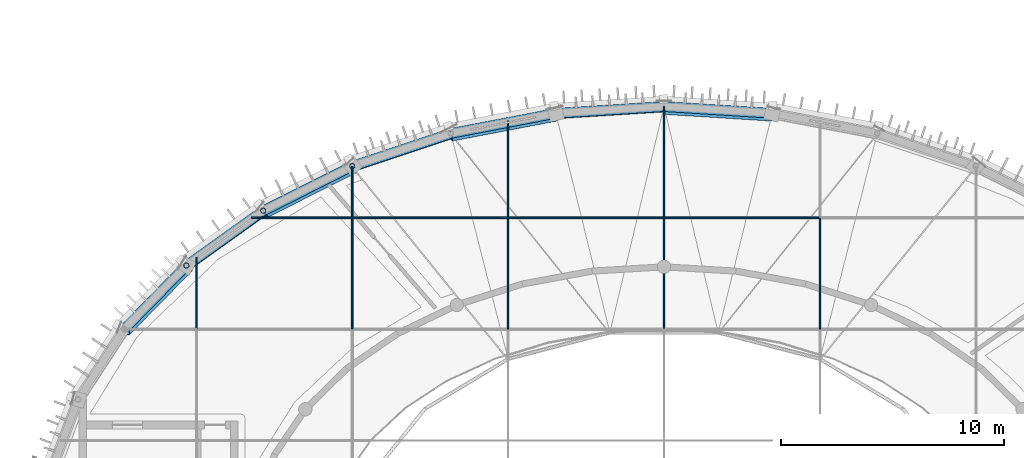
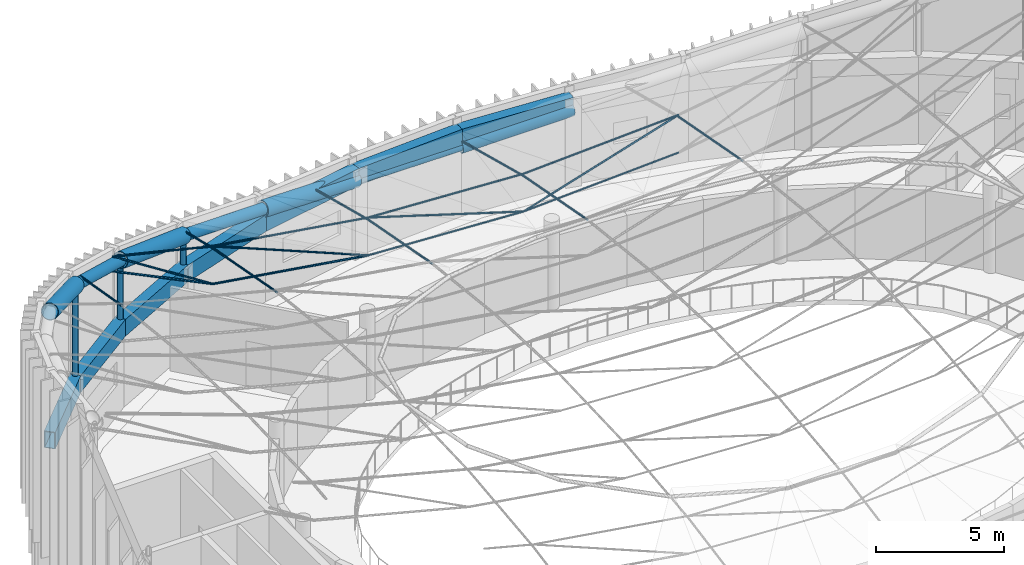
# One storey, part 9 of 36: 30 members, 7 beams.
"""IFC4 building model written with IfcOpenShell, lengths in metres."""

from ifc_helpers import new_model, si_unit, direction, frame, origin, origin_2d, place, context, subcontext, project, spatial, hollow_rectangle, circle, hollow_circle, extrude, material, material_profile, profile_set, type_object, element, save


model = new_model("IFC4")

# Units and contexts
model_context = context("Model", 3, precision=1e-05, world=origin(), true_north=direction((0.0, 1.0)))
body_context = subcontext(model_context, "Body", "Model", "MODEL_VIEW")
ifc_project = project(units=[si_unit("LENGTHUNIT", "METRE"), si_unit("AREAUNIT", "SQUARE_METRE"), si_unit("VOLUMEUNIT", "CUBIC_METRE"), si_unit("PLANEANGLEUNIT", "RADIAN"), si_unit("MASSUNIT", "GRAM", prefix="KILO")], contexts=[model_context])

# Site, building, storey
site_placement = place(None, origin())
site = spatial("IfcSite", under=ifc_project, at=site_placement, CompositionType="ELEMENT")
building_placement = place(site_placement, origin())
building = spatial("IfcBuilding", under=site, at=building_placement, Name="Tarnveldt Headland Concert Hall", CompositionType="ELEMENT")
storey_placement = place(building_placement, frame((0.0, 0.0, 22.800048828125)))
storey = spatial("IfcBuildingStorey", under=building, at=storey_placement, Name="L05", CompositionType="ELEMENT", Elevation=22.800048828125)

# Members
ifc_material = material(Name="Steel S355", Category="steel")
ifc_material_profile_1 = material_profile(ifc_material, circle(Radius=0.0458984375, at=origin_2d()), Name="LC D92", Category="steel")
ifc_profile_set_1 = profile_set([ifc_material_profile_1], Name="Steel S355")
member_type_1 = type_object("IfcMemberType", Name="CB-HOG92", PredefinedType="USERDEFINED", material=ifc_profile_set_1)
member_1_placement = place(storey_placement, frame((62.5, 64.5, 9.072509765625), z_axis=(0.0, 0.985161412941, -0.171630389067), x_axis=(-1.0, 0.0, 0.0)))
element("IfcMember", 1, at=member_1_placement, inside=storey, type_object=member_type_1, Name="ROOF TRUSS CABLE prestress chord 58", ObjectType="CABLE", PredefinedType="USERDEFINED", context=body_context, shape_type="SweptSolid", body=[
    extrude(circle(Radius=0.0458984375, at=origin_2d()), origin(), (0.0, 0.0, 1.0), 3.27734375),
])
member_2_placement = place(storey_placement, frame((69.5, 64.5, 7.260009765625), z_axis=(0.0, 0.982872186934, -0.18428853505), x_axis=(-1.0, 0.0, 0.0)))
element("IfcMember", 2, at=member_2_placement, inside=storey, type_object=member_type_1, Name="ROOF TRUSS CABLE prestress chord 65", ObjectType="CABLE", PredefinedType="USERDEFINED", context=body_context, shape_type="SweptSolid", body=[
    extrude(circle(Radius=0.0458984375, at=origin_2d()), origin(), (0.0, 0.0, 1.0), 5.087158203125),
])
member_3_placement = place(storey_placement, frame((69.5, 69.5, 6.322509765625), z_axis=(0.0, 0.971855780858, -0.235576614318), x_axis=(-1.0, 0.0, 0.0)))
element("IfcMember", 3, at=member_3_placement, inside=storey, type_object=member_type_1, Name="ROOF TRUSS CABLE prestress chord 66", ObjectType="CABLE", PredefinedType="USERDEFINED", context=body_context, shape_type="SweptSolid", body=[
    extrude(circle(Radius=0.0458984375, at=origin_2d()), origin(), (0.0, 0.0, 1.0), 2.3876953125),
])
member_4_placement = place(storey_placement, frame((76.5, 64.5, 6.17236328125), z_axis=(0.0, 0.982872186934, -0.18428853505), x_axis=(-1.0, 0.0, 0.0)))
element("IfcMember", 4, at=member_4_placement, inside=storey, type_object=member_type_1, Name="ROOF TRUSS CABLE prestress chord 73", ObjectType="CABLE", PredefinedType="USERDEFINED", context=body_context, shape_type="SweptSolid", body=[
    extrude(circle(Radius=0.0458984375, at=origin_2d()), origin(), (0.0, 0.0, 1.0), 5.087158203125),
])
member_5_placement = place(storey_placement, frame((76.5, 69.5, 5.23486328125), z_axis=(0.0, 0.968355058126, -0.249576604276), x_axis=(-1.0, 0.0, 0.0)))
element("IfcMember", 5, at=member_5_placement, inside=storey, type_object=member_type_1, Name="ROOF TRUSS CABLE prestress chord 74", ObjectType="CABLE", PredefinedType="USERDEFINED", context=body_context, shape_type="SweptSolid", body=[
    extrude(circle(Radius=0.0458984375, at=origin_2d()), origin(), (0.0, 0.0, 1.0), 4.507568359375),
])
member_6_placement = place(storey_placement, frame((83.5, 64.5, 5.81005859375), z_axis=(0.0, 0.982872186934, -0.18428853505), x_axis=(-1.0, 0.0, 0.0)))
element("IfcMember", 6, at=member_6_placement, inside=storey, type_object=member_type_1, Name="ROOF TRUSS CABLE prestress chord 81", ObjectType="CABLE", PredefinedType="USERDEFINED", context=body_context, shape_type="SweptSolid", body=[
    extrude(circle(Radius=0.0458984375, at=origin_2d()), origin(), (0.0, 0.0, 1.0), 5.087158203125),
])
member_7_placement = place(storey_placement, frame((83.5, 69.5, 4.87255859375), z_axis=(0.0, 0.967230965379, -0.253898128412), x_axis=(-1.0, 0.0, 0.0)))
element("IfcMember", 7, at=member_7_placement, inside=storey, type_object=member_type_1, Name="ROOF TRUSS CABLE prestress chord 82", ObjectType="CABLE", PredefinedType="USERDEFINED", context=body_context, shape_type="SweptSolid", body=[
    extrude(circle(Radius=0.0458984375, at=origin_2d()), origin(), (0.0, 0.0, 1.0), 5.16943359375),
])
member_8_placement = place(storey_placement, frame((90.5, 64.5, 6.17236328125), z_axis=(0.0, 0.982872186934, -0.18428853505), x_axis=(-1.0, 0.0, 0.0)))
element("IfcMember", 8, at=member_8_placement, inside=storey, type_object=member_type_1, Name="ROOF TRUSS CABLE prestress chord 89", ObjectType="CABLE", PredefinedType="USERDEFINED", context=body_context, shape_type="SweptSolid", body=[
    extrude(circle(Radius=0.0458984375, at=origin_2d()), origin(), (0.0, 0.0, 1.0), 5.087158203125),
])
ifc_material_profile_2 = material_profile(ifc_material, circle(Radius=0.031982421875, at=origin_2d()), Name="LC D64", Category="steel")
ifc_profile_set_2 = profile_set([ifc_material_profile_2], Name="Steel S355")
member_type_2 = type_object("IfcMemberType", Name="CB-STAY64", PredefinedType="USERDEFINED", material=ifc_profile_set_2)
member_9_placement = place(storey_placement, frame((64.979736328125, 69.5, 7.510009765625), z_axis=(0.84273813245, 0.0, -0.538323731703), x_axis=(0.0, 1.0, 0.0)))
element("IfcMember", 9, at=member_9_placement, inside=storey, type_object=member_type_2, Name="ROOF TRUSS CABLE diagonal 47", ObjectType="CABLE", PredefinedType="USERDEFINED", context=body_context, shape_type="SweptSolid", body=[
    extrude(circle(Radius=0.031982421875, at=origin_2d()), origin(), (0.0, 0.0, 1.0), 5.36376953125),
])
member_10_placement = place(storey_placement, frame((69.5, 69.5, 6.42236328125), z_axis=(0.924440874248, 0.0, -0.381325412239), x_axis=(0.0, 1.0, 0.0)))
element("IfcMember", 10, at=member_10_placement, inside=storey, type_object=member_type_2, Name="ROOF TRUSS CABLE diagonal 48", ObjectType="CABLE", PredefinedType="USERDEFINED", context=body_context, shape_type="SweptSolid", body=[
    extrude(circle(Radius=0.031982421875, at=origin_2d()), origin(), (0.0, 0.0, 1.0), 7.572265625),
])
for number, where, z_axis, x_axis, name in (
    (11, (76.5, 69.5, 5.3349609375), (0.955442632118, 0.0, -0.2951768567), (0.0, 1.0, 0.0), "ROOF TRUSS CABLE diagonal 49"),
    (12, (83.5, 69.5, 3.17236328125), (0.955442632118, 0.0, 0.2951768567), (0.0, 1.0, 0.0), "ROOF TRUSS CABLE diagonal 50"),
):
    element("IfcMember", number, at=place(storey_placement, frame(where, z_axis=z_axis, x_axis=x_axis)), inside=storey, type_object=member_type_2, Name=name, ObjectType="CABLE", PredefinedType="USERDEFINED", context=body_context, shape_type="SweptSolid", body=[
        extrude(circle(Radius=0.031982421875, at=origin_2d()), origin(), (0.0, 0.0, 1.0), 7.326416015625),
    ])
ifc_material_profile_3 = material_profile(ifc_material, circle(Radius=0.0419921875, at=origin_2d()), Name="LC D84", Category="steel")
ifc_profile_set_3 = profile_set([ifc_material_profile_3], Name="Steel S355")
member_type_3 = type_object("IfcMemberType", Name="CB-STAY84", PredefinedType="USERDEFINED", material=ifc_profile_set_3)
member_11_placement = place(storey_placement, frame((64.979736328125, 69.5, 7.510009765625), z_axis=(0.972251290422, 0.0, -0.233938941336), x_axis=(0.0, 1.0, 0.0)))
element("IfcMember", 13, at=member_11_placement, inside=storey, type_object=member_type_3, Name="ROOF TRUSS CABLE sag chord 47", ObjectType="CABLE", PredefinedType="USERDEFINED", context=body_context, shape_type="SweptSolid", body=[
    extrude(circle(Radius=0.0419921875, at=origin_2d()), origin(), (0.0, 0.0, 1.0), 4.649169921875),
])
member_12_placement = place(storey_placement, frame((69.5, 69.5, 6.42236328125), z_axis=(0.988148319322, 0.0, -0.153502114058), x_axis=(0.0, 1.0, 0.0)))
element("IfcMember", 14, at=member_12_placement, inside=storey, type_object=member_type_3, Name="ROOF TRUSS CABLE sag chord 48", ObjectType="CABLE", PredefinedType="USERDEFINED", context=body_context, shape_type="SweptSolid", body=[
    extrude(circle(Radius=0.0419921875, at=origin_2d()), origin(), (0.0, 0.0, 1.0), 7.083984375),
])
for number, where, z_axis, x_axis, name in (
    (15, (76.5, 69.5, 5.3349609375), (0.99866145102, 0.0, -0.05172336268), (0.0, 1.0, 0.0), "ROOF TRUSS CABLE sag chord 49"),
    (16, (83.5, 69.5, 4.972412109375), (0.99866145102, 0.0, 0.05172336268), (0.0, 1.0, 0.0), "ROOF TRUSS CABLE sag chord 50"),
):
    element("IfcMember", number, at=place(storey_placement, frame(where, z_axis=z_axis, x_axis=x_axis)), inside=storey, type_object=member_type_3, Name=name, ObjectType="CABLE", PredefinedType="USERDEFINED", context=body_context, shape_type="SweptSolid", body=[
        extrude(circle(Radius=0.0419921875, at=origin_2d()), origin(), (0.0, 0.0, 1.0), 7.00927734375),
    ])
ifc_material_profile_4 = material_profile(ifc_material, circle(Radius=0.0380859375, at=origin_2d()), Name="LC D76", Category="steel")
ifc_profile_set_4 = profile_set([ifc_material_profile_4], Name="Steel S355")
member_type_4 = type_object("IfcMemberType", Name="CB-TIE76", PredefinedType="USERDEFINED", material=ifc_profile_set_4)
member_13_placement = place(storey_placement, frame((64.979736328125, 69.5, 6.81005859375), z_axis=(0.900137729445, 0.0, -0.435605404041), x_axis=(0.0, 1.0, 0.0)))
element("IfcMember", 17, at=member_13_placement, inside=storey, type_object=member_type_4, Name="ROOF TRUSS CABLE lower chord 47", ObjectType="CABLE", PredefinedType="USERDEFINED", context=body_context, shape_type="SweptSolid", body=[
    extrude(circle(Radius=0.0380859375, at=origin_2d()), origin(), (0.0, 0.0, 1.0), 5.021728515625),
])
member_14_placement = place(storey_placement, frame((69.5, 69.5, 4.62255859375), z_axis=(0.988143091198, 0.0, -0.1535357656), x_axis=(0.0, 1.0, 0.0)))
element("IfcMember", 18, at=member_14_placement, inside=storey, type_object=member_type_4, Name="ROOF TRUSS CABLE lower chord 48", ObjectType="CABLE", PredefinedType="USERDEFINED", context=body_context, shape_type="SweptSolid", body=[
    extrude(circle(Radius=0.0380859375, at=origin_2d()), origin(), (0.0, 0.0, 1.0), 7.083984375),
])
for number, where, z_axis, x_axis, name in (
    (19, (76.5, 69.5, 3.534912109375), (0.99866145102, 0.0, -0.05172336268), (0.0, 1.0, 0.0), "ROOF TRUSS CABLE lower chord 49"),
    (20, (83.5, 69.5, 3.17236328125), (0.99866145102, 0.0, 0.05172336268), (0.0, 1.0, 0.0), "ROOF TRUSS CABLE lower chord 50"),
):
    element("IfcMember", number, at=place(storey_placement, frame(where, z_axis=z_axis, x_axis=x_axis)), inside=storey, type_object=member_type_4, Name=name, ObjectType="CABLE", PredefinedType="USERDEFINED", context=body_context, shape_type="SweptSolid", body=[
        extrude(circle(Radius=0.0380859375, at=origin_2d()), origin(), (0.0, 0.0, 1.0), 7.00927734375),
    ])

# Beams
ifc_material_profile_5 = material_profile(ifc_material, hollow_rectangle(XDim=0.449951171875, YDim=0.800048828125, WallThickness=0.028076171875, at=origin_2d()), Name="RHS 800x450x28", Category="steel")
ifc_profile_set_5 = profile_set([ifc_material_profile_5], Name="Steel S355")
beam_type = type_object("IfcBeamType", Name="RB-01", PredefinedType="BEAM", material=ifc_profile_set_5)
for number, where, z_axis, x_axis, name in (
    (21, (88.362060546875, 74.1962890625, 3.800048828125), (-0.998054722924, 0.06234396562, 0.0), (-0.06234396562, -0.998054722924, 0.0), "Compression RING BEAM chord 9"),
    (22, (83.5, 74.5, 3.800048828125), (-0.998054722924, -0.06234396562, 0.0), (0.06234396562, -0.998054722924, 0.0), "Compression RING BEAM chord 10"),
):
    element("IfcBeam", number, at=place(storey_placement, frame(where, z_axis=z_axis, x_axis=x_axis)), inside=storey, type_object=beam_type, Name=name, PredefinedType="BEAM", context=body_context, shape_type="SweptSolid", body=[
        extrude(hollow_rectangle(XDim=0.449951171875, YDim=0.800048828125, WallThickness=0.028076171875, at=origin_2d()), origin(), (0.0, 0.0, 1.0), 4.87158203125),
    ])
beam_1_placement = place(storey_placement, frame((78.637939453125, 74.1962890625, 3.800048828125), z_axis=(-0.982172578083, -0.187981453503, 0.0), x_axis=(0.187981453503, -0.982172578083, 0.0)))
element("IfcBeam", 23, at=beam_1_placement, inside=storey, type_object=beam_type, Name="Compression RING BEAM chord 11", PredefinedType="BEAM", context=body_context, shape_type="SweptSolid", body=[
    extrude(hollow_rectangle(XDim=0.449951171875, YDim=0.800048828125, WallThickness=0.028076171875, at=origin_2d()), origin(), (0.0, 0.0, 1.0), 4.80029296875),
])
beam_2_placement = place(storey_placement, frame((73.92333984375, 73.2939453125, 3.800048828125), z_axis=(-0.948751350732, -0.316023534699, 0.0), x_axis=(0.316023534699, -0.948751350732, 0.0)))
element("IfcBeam", 24, at=beam_2_placement, inside=storey, type_object=beam_type, Name="Compression RING BEAM chord 12", PredefinedType="BEAM", context=body_context, shape_type="SweptSolid", body=[
    extrude(hollow_rectangle(XDim=0.449951171875, YDim=0.800048828125, WallThickness=0.028076171875, at=origin_2d()), origin(), (0.0, 0.0, 1.0), 4.662353515625),
])
beam_3_placement = place(storey_placement, frame((69.5, 71.820556640625, 3.800048828125), z_axis=(-0.894361644392, -0.447344664705, 0.0), x_axis=(0.447344664705, -0.894361644392, 0.0)))
element("IfcBeam", 25, at=beam_3_placement, inside=storey, type_object=beam_type, Name="Compression RING BEAM chord 13", PredefinedType="BEAM", context=body_context, shape_type="SweptSolid", body=[
    extrude(hollow_rectangle(XDim=0.449951171875, YDim=0.800048828125, WallThickness=0.028076171875, at=origin_2d()), origin(), (0.0, 0.0, 1.0), 4.47021484375),
])
beam_4_placement = place(storey_placement, frame((65.501953125, 69.82080078125, 3.800048828125), z_axis=(-0.813737360708, -0.581232748378, 0.0), x_axis=(0.581232748378, -0.813737360708, 0.0)))
element("IfcBeam", 26, at=beam_4_placement, inside=storey, type_object=beam_type, Name="Compression RING BEAM chord 14", PredefinedType="BEAM", context=body_context, shape_type="SweptSolid", body=[
    extrude(hollow_rectangle(XDim=0.449951171875, YDim=0.800048828125, WallThickness=0.028076171875, at=origin_2d()), origin(), (0.0, 0.0, 1.0), 4.2412109375),
])
beam_5_placement = place(storey_placement, frame((62.05078125, 67.355712890625, 3.800048828125), z_axis=(-0.700051268358, -0.714092586203, 0.0), x_axis=(0.714092586203, -0.700051268358, 0.0)))
element("IfcBeam", 27, at=beam_5_placement, inside=storey, type_object=beam_type, Name="Compression RING BEAM chord 15", PredefinedType="BEAM", context=body_context, shape_type="SweptSolid", body=[
    extrude(hollow_rectangle(XDim=0.449951171875, YDim=0.800048828125, WallThickness=0.028076171875, at=origin_2d()), origin(), (0.0, 0.0, 1.0), 3.9990234375),
])

# Members
ifc_material_profile_6 = material_profile(ifc_material, hollow_circle(Radius=0.25390625, WallThickness=0.02490234375, at=origin_2d()), Name="CHS 508x25", Category="steel")
ifc_profile_set_6 = profile_set([ifc_material_profile_6], Name="Steel S355")
member_type_5 = type_object("IfcMemberType", Name="SR-CHS508", PredefinedType="CHORD", material=ifc_profile_set_6)
member_15_placement = place(storey_placement, frame((83.5, 74.5, 3.320068359375), z_axis=(-0.996579802575, -0.062251834015, 0.054345250595), x_axis=(0.06234396562, -0.998054722924, 0.0)))
element("IfcMember", 28, at=member_15_placement, inside=storey, type_object=member_type_5, Name="Saddle boundary arch RING BEAM rib 10", PredefinedType="CHORD", context=body_context, shape_type="SweptSolid", body=[
    extrude(hollow_circle(Radius=0.25390625, WallThickness=0.02490234375, at=origin_2d()), origin(), (0.0, 0.0, 1.0), 4.878662109375),
])
member_16_placement = place(storey_placement, frame((73.92333984375, 73.2939453125, 4.349365234375), z_axis=(-0.920187353059, -0.306509033873, 0.243531204212), x_axis=(0.316023534699, -0.948751350732, 0.0)))
element("IfcMember", 29, at=member_16_placement, inside=storey, type_object=member_type_5, Name="Saddle boundary arch RING BEAM rib 12", PredefinedType="CHORD", context=body_context, shape_type="SweptSolid", body=[
    extrude(hollow_circle(Radius=0.25390625, WallThickness=0.02490234375, at=origin_2d()), origin(), (0.0, 0.0, 1.0), 4.806884765625),
])
member_17_placement = place(storey_placement, frame((65.501953125, 69.82080078125, 6.9560546875), z_axis=(-0.76557639291, -0.546832543804, 0.338920279204), x_axis=(0.581232748378, -0.813737360708, 0.0)))
element("IfcMember", 30, at=member_17_placement, inside=storey, type_object=member_type_5, Name="Saddle boundary arch RING BEAM rib 14", PredefinedType="CHORD", context=body_context, shape_type="SweptSolid", body=[
    extrude(hollow_circle(Radius=0.25390625, WallThickness=0.02490234375, at=origin_2d()), origin(), (0.0, 0.0, 1.0), 4.508056640625),
])
ifc_material_profile_7 = material_profile(ifc_material, hollow_circle(Radius=0.35546875, WallThickness=0.028076171875, at=origin_2d()), Name="CHS 711x28", Category="steel")
ifc_profile_set_7 = profile_set([ifc_material_profile_7], Name="Steel S355")
member_type_6 = type_object("IfcMemberType", Name="SR-CHS711", PredefinedType="CHORD", material=ifc_profile_set_7)
member_18_placement = place(storey_placement, frame((88.362060546875, 74.1962890625, 3.585205078125), z_axis=(-0.996579802575, 0.062251834015, -0.054345250595), x_axis=(-0.06234396562, -0.998054722924, 0.0)))
element("IfcMember", 31, at=member_18_placement, inside=storey, type_object=member_type_6, Name="Saddle boundary arch RING BEAM rib 9", PredefinedType="CHORD", context=body_context, shape_type="SweptSolid", body=[
    extrude(hollow_circle(Radius=0.35546875, WallThickness=0.028076171875, at=origin_2d()), origin(), (0.0, 0.0, 1.0), 4.878662109375),
])
member_19_placement = place(storey_placement, frame((78.637939453125, 74.1962890625, 3.585205078125), z_axis=(-0.969958737495, -0.185643803727, 0.157214584867), x_axis=(0.187981453503, -0.982172578083, 0.0)))
element("IfcMember", 32, at=member_19_placement, inside=storey, type_object=member_type_6, Name="Saddle boundary arch RING BEAM rib 11", PredefinedType="CHORD", context=body_context, shape_type="SweptSolid", body=[
    extrude(hollow_circle(Radius=0.35546875, WallThickness=0.028076171875, at=origin_2d()), origin(), (0.0, 0.0, 1.0), 4.860595703125),
])
member_20_placement = place(storey_placement, frame((69.5, 71.820556640625, 5.52001953125), z_axis=(-0.851504460205, -0.425908221393, 0.305846924458), x_axis=(0.447344664705, -0.894361644392, 0.0)))
element("IfcMember", 33, at=member_20_placement, inside=storey, type_object=member_type_6, Name="Saddle boundary arch RING BEAM rib 13", PredefinedType="CHORD", context=body_context, shape_type="SweptSolid", body=[
    extrude(hollow_circle(Radius=0.35546875, WallThickness=0.028076171875, at=origin_2d()), origin(), (0.0, 0.0, 1.0), 4.6953125),
])
member_21_placement = place(storey_placement, frame((62.05078125, 67.355712890625, 8.48388671875), z_axis=(-0.658859988915, -0.672075110346, 0.337962366338), x_axis=(0.714092586203, -0.700051268358, 0.0)))
element("IfcMember", 34, at=member_21_placement, inside=storey, type_object=member_type_6, Name="Saddle boundary arch RING BEAM rib 15", PredefinedType="CHORD", context=body_context, shape_type="SweptSolid", body=[
    extrude(hollow_circle(Radius=0.35546875, WallThickness=0.028076171875, at=origin_2d()), origin(), (0.0, 0.0, 1.0), 4.2490234375),
])
ifc_material_profile_8 = material_profile(ifc_material, hollow_circle(Radius=0.122314453125, WallThickness=0.01611328125, at=origin_2d()), Name="CHS 244.5x16", Category="steel")
ifc_profile_set_8 = profile_set([ifc_material_profile_8], Name="Steel S355")
member_type_7 = type_object("IfcMemberType", Name="TR-CHORD244", PredefinedType="POST", material=ifc_profile_set_8)
member_22_placement = place(storey_placement, frame((69.5, 71.820556640625, 3.849853515625), z_axis=(0.0, 0.0, 1.0), x_axis=(1.0, 0.0, 0.0)))
element("IfcMember", 35, at=member_22_placement, inside=storey, type_object=member_type_7, Name="Saddle ring pedestal strut 13", PredefinedType="POST", context=body_context, shape_type="SweptSolid", body=[
    extrude(hollow_circle(Radius=0.122314453125, WallThickness=0.01611328125, at=origin_2d()), origin(), (0.0, 0.0, 1.0), 1.670166015625),
])
member_23_placement = place(storey_placement, frame((65.501953125, 69.82080078125, 3.849853515625), z_axis=(0.0, 0.0, 1.0), x_axis=(1.0, 0.0, 0.0)))
element("IfcMember", 36, at=member_23_placement, inside=storey, type_object=member_type_7, Name="Saddle ring pedestal strut 14", PredefinedType="POST", context=body_context, shape_type="SweptSolid", body=[
    extrude(hollow_circle(Radius=0.122314453125, WallThickness=0.01611328125, at=origin_2d()), origin(), (0.0, 0.0, 1.0), 3.106201171875),
])
member_24_placement = place(storey_placement, frame((62.05078125, 67.355712890625, 3.849853515625), z_axis=(0.0, 0.0, 1.0), x_axis=(1.0, 0.0, 0.0)))
element("IfcMember", 37, at=member_24_placement, inside=storey, type_object=member_type_7, Name="Saddle ring pedestal strut 15", PredefinedType="POST", context=body_context, shape_type="SweptSolid", body=[
    extrude(hollow_circle(Radius=0.122314453125, WallThickness=0.01611328125, at=origin_2d()), origin(), (0.0, 0.0, 1.0), 4.634033203125),
])

save(model, "model.ifc")
